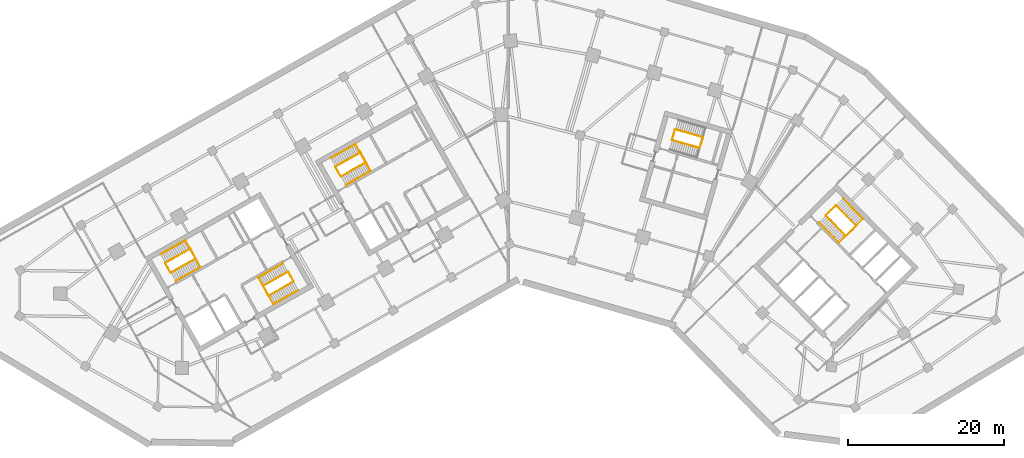
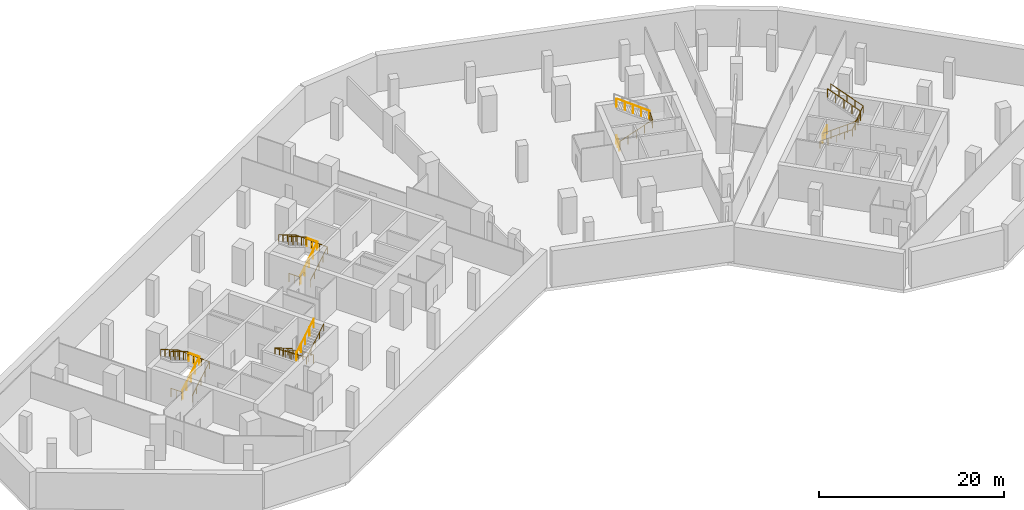
# One storey, part 12 of 13: 19 railings.
"""IFC4 building model written with IfcOpenShell, lengths in metres."""

import ifcopenshell
import ifcopenshell.guid

model = None  # the IFC model being written
_history = None  # IfcOwnerHistory: only IFC2X3 demands one
_inside = {}  # id of a spatial element -> (the spatial element, [elements in it])
_under = {}  # id of a project, library or spatial element -> (it, [spatial elements below it])
_declared = {}  # id of a project -> (the project, [libraries it declares])
_typed = {}  # id of a type object -> (the type object, [elements of that type])
_made_of = {}  # id of a material, layer set ... -> (it, [elements and type objects made of it])


def new_model(schema):
    """Start an empty IFC model of exactly this schema.

    Asked for "IFC4X3", IfcOpenShell would pick the latest addendum, in which some entities
    have other attributes; the version numbers below select the first issue.
    IFC2X3 requires an IfcOwnerHistory on every rooted entity: one is made here for all.
    """
    global model, _history
    if schema == "IFC4X3":
        model = ifcopenshell.file(schema_version=(4, 3, 0, 0))
    else:
        model = ifcopenshell.file(schema=schema)
    _inside.clear()
    _under.clear()
    _declared.clear()
    _typed.clear()
    _made_of.clear()
    _history = None
    if model.schema == "IFC2X3":
        org = make("IfcOrganization", Name="unknown")
        user = make(
            "IfcPersonAndOrganization",
            ThePerson=make("IfcPerson", FamilyName="unknown"),
            TheOrganization=org,
        )
        app = make(
            "IfcApplication",
            ApplicationDeveloper=org,
            Version="unknown",
            ApplicationFullName="unknown",
            ApplicationIdentifier="unknown",
        )
        _history = make(
            "IfcOwnerHistory",
            OwningUser=user,
            OwningApplication=app,
            ChangeAction="ADDED",
            CreationDate=0,
        )
    return model


def make(cls, **values):
    """One entity of the class cls with the attributes given. An attribute that is None is left unset."""
    return model.create_entity(
        cls, **{name: value for name, value in values.items() if value is not None}
    )


def rooted(cls, **values):
    """An entity with a GlobalId (a new one), such as an element, a storey or a relation."""
    return make(cls, GlobalId=ifcopenshell.guid.new(), OwnerHistory=_history, **values)


def si_unit(unit_type, name, prefix=None):
    """IfcSIUnit, for example si_unit("LENGTHUNIT", "METRE", prefix="MILLI")."""
    return make("IfcSIUnit", UnitType=unit_type, Prefix=prefix, Name=name)


def assignment(units):
    """IfcUnitAssignment: the units of a project."""
    return None if units is None else make("IfcUnitAssignment", Units=units)


def point(xyz):
    """IfcCartesianPoint."""
    return None if xyz is None else make("IfcCartesianPoint", Coordinates=xyz)


def direction(xyz):
    """IfcDirection."""
    return None if xyz is None else make("IfcDirection", DirectionRatios=xyz)


def frame(location, z_axis=None, x_axis=None):
    """IfcAxis2Placement3D, a coordinate frame: its origin and axes. An axis left out is left unset."""
    return make(
        "IfcAxis2Placement3D",
        Location=point(location),
        Axis=direction(z_axis),
        RefDirection=direction(x_axis),
    )


def frame_2d(location, x_axis=None):
    """IfcAxis2Placement2D, a coordinate frame in the plane: its origin and x axis."""
    return make(
        "IfcAxis2Placement2D", Location=point(location), RefDirection=direction(x_axis)
    )


def origin():
    """The frame at (0, 0, 0) with its axes left unset."""
    return frame((0.0, 0.0, 0.0))


def origin_2d():
    """The frame at (0, 0) in the plane with its x axis left unset."""
    return frame_2d((0.0, 0.0))


def place(relative_to, where):
    """IfcLocalPlacement: puts the frame where relative to a parent placement (None: the world)."""
    return make(
        "IfcLocalPlacement", PlacementRelTo=relative_to, RelativePlacement=where
    )


def context(
    kind, dimensions, precision=None, world=None, true_north=None, identifier=None
):
    """IfcGeometricRepresentationContext, for example the 3D "Model" context."""
    return make(
        "IfcGeometricRepresentationContext",
        ContextIdentifier=identifier,
        ContextType=kind,
        CoordinateSpaceDimension=dimensions,
        Precision=precision,
        WorldCoordinateSystem=world,
        TrueNorth=true_north,
    )


def subcontext(parent, identifier, kind, view, scale=None):
    """IfcGeometricRepresentationSubContext, for example "Body" below "Model"."""
    return make(
        "IfcGeometricRepresentationSubContext",
        ContextIdentifier=identifier,
        ContextType=kind,
        ParentContext=parent,
        TargetScale=scale,
        TargetView=view,
    )


def project(units=None, contexts=None):
    """IfcProject with its units and contexts."""
    return rooted(
        "IfcProject",
        Name="project",
        RepresentationContexts=contexts,
        UnitsInContext=assignment(units),
    )


def spatial(cls, under=None, at=None, **own):
    """A site, building, storey or space (cls), placed at a placement, below another one or the project."""
    s = rooted(cls, ObjectPlacement=at, **own)
    if under is not None:
        _under.setdefault(under.id(), (under, []))[1].append(s)
    return s


def profile(cls, at=None, kind="AREA", **sizes):
    """A parametric profile (cls). Its sizes go by their IFC names, for example OverallWidth=200.0."""
    return make(cls, ProfileType=kind, Position=at, **sizes)


def circle(**sizes):
    """IfcCircleProfileDef."""
    return profile("IfcCircleProfileDef", **sizes)


def extrude(swept, where, along, depth):
    """IfcExtrudedAreaSolid: the profile swept, set in the frame where, extruded along a direction by depth."""
    return make(
        "IfcExtrudedAreaSolid",
        SweptArea=swept,
        Position=where,
        ExtrudedDirection=direction(along),
        Depth=depth,
    )


def shape(context_of_items, identifier, shape_type, items):
    """IfcShapeRepresentation: the items that make up one representation, for example the "Body"."""
    return make(
        "IfcShapeRepresentation",
        ContextOfItems=context_of_items,
        RepresentationIdentifier=identifier,
        RepresentationType=shape_type,
        Items=items,
    )


def material(Name=None, Category=None):
    """IfcMaterial."""
    return make("IfcMaterial", Name=Name, Category=Category)


def made_of(thing, what):
    """Note that an element or type object is made of a material, layer set ...; save() writes the relation."""
    if what is not None:
        _made_of.setdefault(what.id(), (what, []))[1].append(thing)
    return thing


def type_object(cls, material=None, **own):
    """A type object (cls), such as IfcWallType, which elements share."""
    return made_of(rooted(cls, **own), material)


def element(
    cls,
    number,
    at=None,
    inside=None,
    cuts=None,
    type_object=None,
    material=None,
    context=None,
    identifier="Body",
    shape_type=None,
    held_by="IfcProductDefinitionShape",
    body=None,
    shapes=None,
    **own,
):
    """One element of the class cls, such as IfcWall. Its Tag is "e" and its number.

    at: its placement. inside: the storey or other place that contains it. cuts: it is an
    opening in that element (IfcRelVoidsElement). A single representation is given by context,
    identifier, shape_type and body (its items); several are given by shapes. held_by: the class
    of the entity that holds the representations. save() writes the other relations.
    """
    e = rooted(cls, Tag="e%d" % number, ObjectPlacement=at, **own)
    if body is not None:
        shapes = [shape(context, identifier, shape_type, body)]
    if shapes is not None:
        e.Representation = make(held_by, Representations=shapes)
    if inside is not None:
        _inside.setdefault(inside.id(), (inside, []))[1].append(e)
    if cuts is not None:
        rooted(
            "IfcRelVoidsElement", RelatingBuildingElement=cuts, RelatedOpeningElement=e
        )
    if type_object is not None:
        _typed.setdefault(type_object.id(), (type_object, []))[1].append(e)
    return made_of(e, material)


def aggregate(whole, parts):
    """IfcRelAggregates: a whole, such as a stair, and the parts it consists of."""
    return rooted("IfcRelAggregates", RelatingObject=whole, RelatedObjects=parts)


def save(model, path):
    """Write the relations noted so far, then the file.

    IfcRelAggregates (storeys below a building ...), IfcRelContainedInSpatialStructure (elements
    in a storey), IfcRelDefinesByType, IfcRelAssociatesMaterial and IfcRelDeclares: one each for
    every whole, place, type object, material and project.
    """
    for whole, parts in _under.values():
        aggregate(whole, parts)
    for where, things in _inside.values():
        rooted(
            "IfcRelContainedInSpatialStructure",
            RelatedElements=things,
            RelatingStructure=where,
        )
    for kind, things in _typed.values():
        rooted("IfcRelDefinesByType", RelatedObjects=things, RelatingType=kind)
    for what, things in _made_of.values():
        rooted("IfcRelAssociatesMaterial", RelatedObjects=things, RelatingMaterial=what)
    for by, libraries in _declared.values():
        rooted("IfcRelDeclares", RelatingContext=by, RelatedDefinitions=libraries)
    model.write(path)


model = new_model("IFC4")

# Units and contexts
model_context = context("Model", 3, precision=1e-05, world=origin(), true_north=direction((0.0, 1.0)))
body_context = subcontext(model_context, "Body", "Model", "MODEL_VIEW")
ifc_project = project(units=[si_unit("LENGTHUNIT", "METRE"), si_unit("AREAUNIT", "SQUARE_METRE"), si_unit("VOLUMEUNIT", "CUBIC_METRE"), si_unit("PLANEANGLEUNIT", "RADIAN"), si_unit("MASSUNIT", "GRAM", prefix="KILO")], contexts=[model_context])

# Site, building, storey
site_placement = place(None, origin())
site = spatial("IfcSite", under=ifc_project, at=site_placement, CompositionType="ELEMENT")
building_placement = place(site_placement, origin())
building = spatial("IfcBuilding", under=site, at=building_placement, Name="Binnacle Exchange Tower", CompositionType="ELEMENT")
storey_placement = place(building_placement, frame((0.0, 0.0, -4.800048828125)))
storey = spatial("IfcBuildingStorey", under=building, at=storey_placement, Name="B1", CompositionType="ELEMENT", Elevation=-4.800048828125)

# Railings
ifc_material_1 = material(Name="Steel guard rail", Category="steel")
railing_type_1 = type_object("IfcRailingType", Name="STAIR GUARD 1100", PredefinedType="GUARDRAIL", material=ifc_material_1)
railing_1_placement = place(storey_placement, frame((-43.26171875, 39.71728515625, 0.17138671875)))
element("IfcRailing", 1, at=railing_1_placement, inside=storey, type_object=railing_type_1, Name="B1 STA1 stair guard 1", PredefinedType="GUARDRAIL", context=body_context, shape_type="SweptSolid", body=[
    extrude(circle(Radius=0.02392578125, at=origin_2d()), frame((0.0, 0.0, 1.076171875), z_axis=(0.742249344225, 0.419974929508, 0.522194379118), x_axis=(-0.492450612189, 0.870340390052, 0.0)), (0.0, 0.0, 1.0), 4.26806640625),
    extrude(circle(Radius=0.02392578125, at=origin_2d()), frame((3.16796875, 1.79248046875, 3.3046875), z_axis=(-0.460963092712, 0.887419307406, 0.0), x_axis=(-0.887419307406, -0.460963092712, 0.0)), (0.0, 0.0, 1.0), 1.40087890625),
    extrude(circle(Radius=0.02099609375, at=origin_2d()), origin(), (0.0, 0.0, 1.0), 1.052001953125),
    extrude(circle(Radius=0.02099609375, at=origin_2d()), frame((0.7919921875, 0.4482421875, 0.55712890625)), (0.0, 0.0, 1.0), 1.052001953125),
    extrude(circle(Radius=0.02099609375, at=origin_2d()), frame((1.583984375, 0.896240234375, 1.1142578125)), (0.0, 0.0, 1.0), 1.052001953125),
    extrude(circle(Radius=0.02099609375, at=origin_2d()), frame((2.3759765625, 1.34423828125, 1.671630859375)), (0.0, 0.0, 1.0), 1.052001953125),
    extrude(circle(Radius=0.02099609375, at=origin_2d()), frame((3.16796875, 1.79248046875, 2.228759765625)), (0.0, 0.0, 1.0), 1.052001953125),
    extrude(circle(Radius=0.02099609375, at=origin_2d()), frame((2.84521484375, 2.4140625, 2.228759765625)), (0.0, 0.0, 1.0), 1.052001953125),
    extrude(circle(Radius=0.02099609375, at=origin_2d()), frame((2.522216796875, 3.03564453125, 2.228759765625)), (0.0, 0.0, 1.0), 1.052001953125),
])
railing_2_placement = place(storey_placement, frame((-40.8076171875, 42.771728515625, 2.571533203125)))
element("IfcRailing", 2, at=railing_2_placement, inside=storey, type_object=railing_type_1, Name="B1 STA1 stair guard 2", PredefinedType="GUARDRAIL", context=body_context, shape_type="SweptSolid", body=[
    extrude(circle(Radius=0.02392578125, at=origin_2d()), frame((0.0, 0.0, 1.076171875), z_axis=(-0.742297199881, -0.419969641791, 0.522130603415), x_axis=(0.492421866095, -0.870356654361, 0.0)), (0.0, 0.0, 1.0), 4.26806640625),
    extrude(circle(Radius=0.02099609375, at=origin_2d()), origin(), (0.0, 0.0, 1.0), 1.052001953125),
    extrude(circle(Radius=0.02099609375, at=origin_2d()), frame((-0.7919921875, -0.4482421875, 0.55712890625)), (0.0, 0.0, 1.0), 1.052001953125),
    extrude(circle(Radius=0.02099609375, at=origin_2d()), frame((-1.583984375, -0.896240234375, 1.1142578125)), (0.0, 0.0, 1.0), 1.052001953125),
    extrude(circle(Radius=0.02099609375, at=origin_2d()), frame((-2.376220703125, -1.34423828125, 1.67138671875)), (0.0, 0.0, 1.0), 1.052001953125),
    extrude(circle(Radius=0.02099609375, at=origin_2d()), frame((-3.168212890625, -1.79248046875, 2.228515625)), (0.0, 0.0, 1.0), 1.052001953125),
])
railing_3_placement = place(storey_placement, frame((-43.329833984375, 39.736328125, 0.0)))
element("IfcRailing", 3, at=railing_3_placement, inside=storey, type_object=railing_type_1, Name="B1 STA1 stair guard 3", PredefinedType="GUARDRAIL", context=body_context, shape_type="SweptSolid", body=[
    extrude(circle(Radius=0.02392578125, at=origin_2d()), frame((0.0, 0.0, 1.076171875), z_axis=(-0.4924922531, 0.870316827734, 0.0), x_axis=(-0.870316827734, -0.4924922531, 0.0)), (0.0, 0.0, 1.0), 1.349853515625),
    extrude(circle(Radius=0.02099609375, at=origin_2d()), origin(), (0.0, 0.0, 1.0), 1.052001953125),
    extrude(circle(Radius=0.02099609375, at=origin_2d()), frame((-0.33251953125, 0.58740234375, 0.0)), (0.0, 0.0, 1.0), 1.052001953125),
    extrude(circle(Radius=0.02099609375, at=origin_2d()), frame((-0.664794921875, 1.1748046875, 0.0)), (0.0, 0.0, 1.0), 1.052001953125),
])
railing_4_placement = place(storey_placement, frame((-28.265380859375, 39.814453125, 0.17138671875)))
element("IfcRailing", 4, at=railing_4_placement, inside=storey, type_object=railing_type_1, Name="B1 STA2 stair guard 1", PredefinedType="GUARDRAIL", context=body_context, shape_type="SweptSolid", body=[
    extrude(circle(Radius=0.02392578125, at=origin_2d()), frame((0.0, 0.0, 1.076171875), z_axis=(-0.742275029926, -0.419957098691, 0.522172208383), x_axis=(0.492421866095, -0.870356654361, 0.0)), (0.0, 0.0, 1.0), 4.268310546875),
    extrude(circle(Radius=0.02392578125, at=origin_2d()), frame((-3.168212890625, -1.79248046875, 3.3046875), z_axis=(0.461100321709, -0.887348011391, 0.0), x_axis=(0.887348011391, 0.461100321709, 0.0)), (0.0, 0.0, 1.0), 1.40087890625),
    extrude(circle(Radius=0.02099609375, at=origin_2d()), origin(), (0.0, 0.0, 1.0), 1.052001953125),
    extrude(circle(Radius=0.02099609375, at=origin_2d()), frame((-0.7919921875, -0.4482421875, 0.55712890625)), (0.0, 0.0, 1.0), 1.052001953125),
    extrude(circle(Radius=0.02099609375, at=origin_2d()), frame((-1.583984375, -0.896240234375, 1.1142578125)), (0.0, 0.0, 1.0), 1.052001953125),
    extrude(circle(Radius=0.02099609375, at=origin_2d()), frame((-2.376220703125, -1.34423828125, 1.671630859375)), (0.0, 0.0, 1.0), 1.052001953125),
    extrude(circle(Radius=0.02099609375, at=origin_2d()), frame((-3.168212890625, -1.79248046875, 2.228759765625)), (0.0, 0.0, 1.0), 1.052001953125),
    extrude(circle(Radius=0.02099609375, at=origin_2d()), frame((-2.84521484375, -2.4140625, 2.228759765625)), (0.0, 0.0, 1.0), 1.052001953125),
    extrude(circle(Radius=0.02099609375, at=origin_2d()), frame((-2.522216796875, -3.03564453125, 2.228759765625)), (0.0, 0.0, 1.0), 1.052001953125),
])
railing_5_placement = place(storey_placement, frame((-30.719482421875, 36.760009765625, 2.571533203125)))
element("IfcRailing", 5, at=railing_5_placement, inside=storey, type_object=railing_type_1, Name="B1 STA2 stair guard 2", PredefinedType="GUARDRAIL", context=body_context, shape_type="SweptSolid", body=[
    extrude(circle(Radius=0.02392578125, at=origin_2d()), frame((0.0, 0.0, 1.076171875), z_axis=(0.742271515296, 0.419987474206, 0.522152773707), x_axis=(-0.492450612189, 0.870340390052, 0.0)), (0.0, 0.0, 1.0), 4.267822265625),
    extrude(circle(Radius=0.02099609375, at=origin_2d()), origin(), (0.0, 0.0, 1.0), 1.052001953125),
    extrude(circle(Radius=0.02099609375, at=origin_2d()), frame((0.7919921875, 0.4482421875, 0.55712890625)), (0.0, 0.0, 1.0), 1.052001953125),
    extrude(circle(Radius=0.02099609375, at=origin_2d()), frame((1.583984375, 0.896240234375, 1.1142578125)), (0.0, 0.0, 1.0), 1.052001953125),
    extrude(circle(Radius=0.02099609375, at=origin_2d()), frame((2.3759765625, 1.34423828125, 1.67138671875)), (0.0, 0.0, 1.0), 1.052001953125),
    extrude(circle(Radius=0.02099609375, at=origin_2d()), frame((3.16796875, 1.79248046875, 2.228515625)), (0.0, 0.0, 1.0), 1.052001953125),
])
railing_6_placement = place(storey_placement, frame((-28.197265625, 39.795654296875, 0.0)))
element("IfcRailing", 6, at=railing_6_placement, inside=storey, type_object=railing_type_1, Name="B1 STA2 stair guard 3", PredefinedType="GUARDRAIL", context=body_context, shape_type="SweptSolid", body=[
    extrude(circle(Radius=0.02392578125, at=origin_2d()), frame((0.0, 0.0, 1.076171875), z_axis=(0.49241474071, -0.870360685654, 0.0), x_axis=(0.870360685654, 0.49241474071, 0.0)), (0.0, 0.0, 1.0), 1.35009765625),
    extrude(circle(Radius=0.02099609375, at=origin_2d()), origin(), (0.0, 0.0, 1.0), 1.052001953125),
    extrude(circle(Radius=0.02099609375, at=origin_2d()), frame((0.33251953125, -0.58740234375, 0.0)), (0.0, 0.0, 1.0), 1.052001953125),
    extrude(circle(Radius=0.02099609375, at=origin_2d()), frame((0.664794921875, -1.175048828125, 0.0)), (0.0, 0.0, 1.0), 1.052001953125),
])
railing_7_placement = place(storey_placement, frame((40.822509765625, 47.046875, 0.17138671875)))
element("IfcRailing", 7, at=railing_7_placement, inside=storey, type_object=railing_type_1, Name="B1 STB1 stair guard 1", PredefinedType="GUARDRAIL", context=body_context, shape_type="SweptSolid", body=[
    extrude(circle(Radius=0.02392578125, at=origin_2d()), frame((0.0, 0.0, 1.076171875), z_axis=(0.597754981814, -0.608280045609, 0.522191887941), x_axis=(0.713250539553, 0.700909172309, 0.0)), (0.0, 0.0, 1.0), 4.26806640625),
    extrude(circle(Radius=0.02392578125, at=origin_2d()), frame((2.55126953125, -2.59619140625, 3.3046875), z_axis=(0.732527851538, 0.680737061369, 0.0), x_axis=(-0.680737061369, 0.732527851538, 0.0)), (0.0, 0.0, 1.0), 1.80078125),
    extrude(circle(Radius=0.02099609375, at=origin_2d()), origin(), (0.0, 0.0, 1.0), 1.052001953125),
    extrude(circle(Radius=0.02099609375, at=origin_2d()), frame((0.6376953125, -0.64892578125, 0.55712890625)), (0.0, 0.0, 1.0), 1.052001953125),
    extrude(circle(Radius=0.02099609375, at=origin_2d()), frame((1.275634765625, -1.298095703125, 1.1142578125)), (0.0, 0.0, 1.0), 1.052001953125),
    extrude(circle(Radius=0.02099609375, at=origin_2d()), frame((1.91357421875, -1.947265625, 1.671630859375)), (0.0, 0.0, 1.0), 1.052001953125),
    extrude(circle(Radius=0.02099609375, at=origin_2d()), frame((2.55126953125, -2.59619140625, 2.228759765625)), (0.0, 0.0, 1.0), 1.052001953125),
    extrude(circle(Radius=0.02099609375, at=origin_2d()), frame((3.2109375, -1.9833984375, 2.228759765625)), (0.0, 0.0, 1.0), 1.052001953125),
    extrude(circle(Radius=0.02099609375, at=origin_2d()), frame((3.870361328125, -1.370361328125, 2.228759765625)), (0.0, 0.0, 1.0), 1.052001953125),
])
railing_8_placement = place(storey_placement, frame((44.693359375, 45.747314453125, 2.571533203125)))
element("IfcRailing", 8, at=railing_8_placement, inside=storey, type_object=railing_type_1, Name="B1 STB1 stair guard 2", PredefinedType="GUARDRAIL", context=body_context, shape_type="SweptSolid", body=[
    extrude(circle(Radius=0.02392578125, at=origin_2d()), frame((0.0, 0.0, 1.076171875), z_axis=(-0.597772836652, 0.608298214828, 0.52215028258), x_axis=(-0.713250539553, -0.700909172309, 0.0)), (0.0, 0.0, 1.0), 4.26806640625),
    extrude(circle(Radius=0.02099609375, at=origin_2d()), origin(), (0.0, 0.0, 1.0), 1.052001953125),
    extrude(circle(Radius=0.02099609375, at=origin_2d()), frame((-0.6376953125, 0.64892578125, 0.55712890625)), (0.0, 0.0, 1.0), 1.052001953125),
    extrude(circle(Radius=0.02099609375, at=origin_2d()), frame((-1.275634765625, 1.298095703125, 1.1142578125)), (0.0, 0.0, 1.0), 1.052001953125),
    extrude(circle(Radius=0.02099609375, at=origin_2d()), frame((-1.91357421875, 1.947265625, 1.67138671875)), (0.0, 0.0, 1.0), 1.052001953125),
    extrude(circle(Radius=0.02099609375, at=origin_2d()), frame((-2.55126953125, 2.59619140625, 2.228515625)), (0.0, 0.0, 1.0), 1.052001953125),
])
railing_9_placement = place(storey_placement, frame((40.8232421875, 47.117431640625, 0.0)))
element("IfcRailing", 9, at=railing_9_placement, inside=storey, type_object=railing_type_1, Name="B1 STB1 stair guard 3", PredefinedType="GUARDRAIL", context=body_context, shape_type="SweptSolid", body=[
    extrude(circle(Radius=0.02392578125, at=origin_2d()), frame((0.0, 0.0, 1.076171875), z_axis=(0.713218950569, 0.700941316052, 0.0), x_axis=(-0.700941316052, 0.713218950569, 0.0)), (0.0, 0.0, 1.0), 1.75),
    extrude(circle(Radius=0.02099609375, at=origin_2d()), origin(), (0.0, 0.0, 1.0), 1.052001953125),
    extrude(circle(Radius=0.02099609375, at=origin_2d()), frame((0.6240234375, 0.61328125, 0.0)), (0.0, 0.0, 1.0), 1.052001953125),
    extrude(circle(Radius=0.02099609375, at=origin_2d()), frame((1.248046875, 1.2265625, 0.0)), (0.0, 0.0, 1.0), 1.052001953125),
])
railing_10_placement = place(storey_placement, frame((-21.423828125, 52.07275390625, 0.17138671875)))
element("IfcRailing", 10, at=railing_10_placement, inside=storey, type_object=railing_type_1, Name="B1 STC1 stair guard 1", PredefinedType="GUARDRAIL", context=body_context, shape_type="SweptSolid", body=[
    extrude(circle(Radius=0.02392578125, at=origin_2d()), frame((0.0, 0.0, 1.076171875), z_axis=(0.742292859722, 0.419909985607, 0.522184751206), x_axis=(-0.492371057291, 0.870385398511, 0.0)), (0.0, 0.0, 1.0), 4.26806640625),
    extrude(circle(Radius=0.02392578125, at=origin_2d()), frame((3.168212890625, 1.792236328125, 3.3046875), z_axis=(-0.461100321709, 0.887348011391, 0.0), x_axis=(-0.887348011391, -0.461100321709, 0.0)), (0.0, 0.0, 1.0), 1.40087890625),
    extrude(circle(Radius=0.02099609375, at=origin_2d()), origin(), (0.0, 0.0, 1.0), 1.052001953125),
    extrude(circle(Radius=0.02099609375, at=origin_2d()), frame((0.7919921875, 0.447998046875, 0.55712890625)), (0.0, 0.0, 1.0), 1.052001953125),
    extrude(circle(Radius=0.02099609375, at=origin_2d()), frame((1.583984375, 0.89599609375, 1.1142578125)), (0.0, 0.0, 1.0), 1.052001953125),
    extrude(circle(Radius=0.02099609375, at=origin_2d()), frame((2.376220703125, 1.34423828125, 1.671630859375)), (0.0, 0.0, 1.0), 1.052001953125),
    extrude(circle(Radius=0.02099609375, at=origin_2d()), frame((3.168212890625, 1.792236328125, 2.228759765625)), (0.0, 0.0, 1.0), 1.052001953125),
    extrude(circle(Radius=0.02099609375, at=origin_2d()), frame((2.84521484375, 2.413818359375, 2.228759765625)), (0.0, 0.0, 1.0), 1.052001953125),
    extrude(circle(Radius=0.02099609375, at=origin_2d()), frame((2.522216796875, 3.035400390625, 2.228759765625)), (0.0, 0.0, 1.0), 1.052001953125),
])
railing_11_placement = place(storey_placement, frame((-18.9697265625, 55.126953125, 2.571533203125)))
element("IfcRailing", 11, at=railing_11_placement, inside=storey, type_object=railing_type_1, Name="B1 STC1 stair guard 2", PredefinedType="GUARDRAIL", context=body_context, shape_type="SweptSolid", body=[
    extrude(circle(Radius=0.02392578125, at=origin_2d()), frame((0.0, 0.0, 1.076171875), z_axis=(-0.742289347588, -0.419940359174, 0.522165317878), x_axis=(0.492399802317, -0.870369137021, 0.0)), (0.0, 0.0, 1.0), 4.267822265625),
    extrude(circle(Radius=0.02099609375, at=origin_2d()), origin(), (0.0, 0.0, 1.0), 1.052001953125),
    extrude(circle(Radius=0.02099609375, at=origin_2d()), frame((-0.7919921875, -0.447998046875, 0.55712890625)), (0.0, 0.0, 1.0), 1.052001953125),
    extrude(circle(Radius=0.02099609375, at=origin_2d()), frame((-1.583984375, -0.89599609375, 1.1142578125)), (0.0, 0.0, 1.0), 1.052001953125),
    extrude(circle(Radius=0.02099609375, at=origin_2d()), frame((-2.3759765625, -1.34423828125, 1.67138671875)), (0.0, 0.0, 1.0), 1.052001953125),
    extrude(circle(Radius=0.02099609375, at=origin_2d()), frame((-3.16796875, -1.792236328125, 2.228515625)), (0.0, 0.0, 1.0), 1.052001953125),
])
railing_12_placement = place(storey_placement, frame((-21.491943359375, 52.091552734375, 0.0)))
element("IfcRailing", 12, at=railing_12_placement, inside=storey, type_object=railing_type_1, Name="B1 STC1 stair guard 3", PredefinedType="GUARDRAIL", context=body_context, shape_type="SweptSolid", body=[
    extrude(circle(Radius=0.02392578125, at=origin_2d()), frame((0.0, 0.0, 1.076171875), z_axis=(-0.49241474071, 0.870360685654, 0.0), x_axis=(-0.870360685654, -0.49241474071, 0.0)), (0.0, 0.0, 1.0), 1.35009765625),
    extrude(circle(Radius=0.02099609375, at=origin_2d()), origin(), (0.0, 0.0, 1.0), 1.052001953125),
    extrude(circle(Radius=0.02099609375, at=origin_2d()), frame((-0.33251953125, 0.58740234375, 0.0)), (0.0, 0.0, 1.0), 1.052001953125),
    extrude(circle(Radius=0.02099609375, at=origin_2d()), frame((-0.664794921875, 1.175048828125, 0.0)), (0.0, 0.0, 1.0), 1.052001953125),
])
railing_13_placement = place(storey_placement, frame((21.086669921875, 56.71044921875, 0.17138671875)))
element("IfcRailing", 13, at=railing_13_placement, inside=storey, type_object=railing_type_1, Name="B1 STD1 stair guard 1", PredefinedType="GUARDRAIL", context=body_context, shape_type="SweptSolid", body=[
    extrude(circle(Radius=0.02392578125, at=origin_2d()), frame((0.0, 0.0, 1.076171875), z_axis=(0.819792348007, -0.235092558632, 0.522180040815), x_axis=(0.275659984683, 0.961255206927, 0.0)), (0.0, 0.0, 1.0), 4.26806640625),
    extrude(circle(Radius=0.02392578125, at=origin_2d()), frame((3.4990234375, -1.00341796875, 3.3046875), z_axis=(0.309684985722, 0.950839213337, 0.0), x_axis=(-0.950839213337, 0.309684985722, 0.0)), (0.0, 0.0, 1.0), 1.40087890625),
    extrude(circle(Radius=0.02099609375, at=origin_2d()), origin(), (0.0, 0.0, 1.0), 1.052001953125),
    extrude(circle(Radius=0.02099609375, at=origin_2d()), frame((0.874755859375, -0.2509765625, 0.55712890625)), (0.0, 0.0, 1.0), 1.052001953125),
    extrude(circle(Radius=0.02099609375, at=origin_2d()), frame((1.74951171875, -0.501708984375, 1.1142578125)), (0.0, 0.0, 1.0), 1.052001953125),
    extrude(circle(Radius=0.02099609375, at=origin_2d()), frame((2.624267578125, -0.75244140625, 1.671630859375)), (0.0, 0.0, 1.0), 1.052001953125),
    extrude(circle(Radius=0.02099609375, at=origin_2d()), frame((3.4990234375, -1.00341796875, 2.228759765625)), (0.0, 0.0, 1.0), 1.052001953125),
    extrude(circle(Radius=0.02099609375, at=origin_2d()), frame((3.7158203125, -0.33740234375, 2.228759765625)), (0.0, 0.0, 1.0), 1.052001953125),
    extrude(circle(Radius=0.02099609375, at=origin_2d()), frame((3.932861328125, 0.32861328125, 2.228759765625)), (0.0, 0.0, 1.0), 1.052001953125),
])
railing_14_placement = place(storey_placement, frame((24.9853515625, 57.100830078125, 2.571533203125)))
element("IfcRailing", 14, at=railing_14_placement, inside=storey, type_object=railing_type_1, Name="B1 STD1 stair guard 2", PredefinedType="GUARDRAIL", context=body_context, shape_type="SweptSolid", body=[
    extrude(circle(Radius=0.02392578125, at=origin_2d()), frame((0.0, 0.0, 1.076171875), z_axis=(-0.819816833951, 0.235099580487, 0.52213843569), x_axis=(-0.275659984683, -0.961255206927, 0.0)), (0.0, 0.0, 1.0), 4.26806640625),
    extrude(circle(Radius=0.02099609375, at=origin_2d()), origin(), (0.0, 0.0, 1.0), 1.052001953125),
    extrude(circle(Radius=0.02099609375, at=origin_2d()), frame((-0.874755859375, 0.2509765625, 0.55712890625)), (0.0, 0.0, 1.0), 1.052001953125),
    extrude(circle(Radius=0.02099609375, at=origin_2d()), frame((-1.74951171875, 0.501708984375, 1.1142578125)), (0.0, 0.0, 1.0), 1.052001953125),
    extrude(circle(Radius=0.02099609375, at=origin_2d()), frame((-2.624267578125, 0.75244140625, 1.67138671875)), (0.0, 0.0, 1.0), 1.052001953125),
    extrude(circle(Radius=0.02099609375, at=origin_2d()), frame((-3.4990234375, 1.00341796875, 2.228515625)), (0.0, 0.0, 1.0), 1.052001953125),
])
railing_15_placement = place(storey_placement, frame((21.05224609375, 56.772216796875, 0.0)))
element("IfcRailing", 15, at=railing_15_placement, inside=storey, type_object=railing_type_1, Name="B1 STD1 stair guard 3", PredefinedType="GUARDRAIL", context=body_context, shape_type="SweptSolid", body=[
    extrude(circle(Radius=0.02392578125, at=origin_2d()), frame((0.0, 0.0, 1.076171875), z_axis=(0.275795817769, 0.961216243569, 0.0), x_axis=(-0.961216243569, 0.275795817769, 0.0)), (0.0, 0.0, 1.0), 1.349853515625),
    extrude(circle(Radius=0.02099609375, at=origin_2d()), origin(), (0.0, 0.0, 1.0), 1.052001953125),
    extrude(circle(Radius=0.02099609375, at=origin_2d()), frame((0.18603515625, 0.64892578125, 0.0)), (0.0, 0.0, 1.0), 1.052001953125),
    extrude(circle(Radius=0.02099609375, at=origin_2d()), frame((0.372314453125, 1.297607421875, 0.0)), (0.0, 0.0, 1.0), 1.052001953125),
])
ifc_material_2 = material(Name="Steel handrail", Category="steel")
railing_type_2 = type_object("IfcRailingType", Name="STAIR HANDRAIL 900", PredefinedType="HANDRAIL", material=ifc_material_2)
railing_16_placement = place(storey_placement, frame((-42.646240234375, 38.62939453125, 0.17138671875)))
element("IfcRailing", 16, at=railing_16_placement, inside=storey, type_object=railing_type_2, Name="B1 STA1 stair handrail 1", PredefinedType="HANDRAIL", context=body_context, shape_type="SweptSolid", body=[
    extrude(circle(Radius=0.02392578125, at=origin_2d()), frame((0.0, 0.0, 0.8759765625), z_axis=(0.742275029926, 0.419957098691, 0.522172208383), x_axis=(-0.492421866095, 0.870356654361, 0.0)), (0.0, 0.0, 1.0), 4.268310546875),
    extrude(circle(Radius=0.02392578125, at=origin_2d()), frame((3.168212890625, 1.79248046875, 3.1044921875), z_axis=(-0.492023999439, 0.869501749008, 0.043348499951), x_axis=(-0.870319839224, -0.492486931251, 0.0)), (0.0, 0.0, 1.0), 3.95361328125),
    extrude(circle(Radius=0.02392578125, at=origin_2d()), frame((1.222900390625, 5.230224609375, 3.27587890625), z_axis=(-0.742289347588, -0.419940359174, 0.522165317878), x_axis=(0.492399802317, -0.870369137021, 0.0)), (0.0, 0.0, 1.0), 4.267822265625),
    extrude(circle(Radius=0.02099609375, at=origin_2d()), origin(), (0.0, 0.0, 1.0), 0.851806640625),
    extrude(circle(Radius=0.02099609375, at=origin_2d()), frame((0.7919921875, 0.4482421875, 0.55712890625)), (0.0, 0.0, 1.0), 0.851806640625),
    extrude(circle(Radius=0.02099609375, at=origin_2d()), frame((1.583984375, 0.896240234375, 1.1142578125)), (0.0, 0.0, 1.0), 0.851806640625),
    extrude(circle(Radius=0.02099609375, at=origin_2d()), frame((2.376220703125, 1.34423828125, 1.671630859375)), (0.0, 0.0, 1.0), 0.851806640625),
    extrude(circle(Radius=0.02099609375, at=origin_2d()), frame((3.168212890625, 1.79248046875, 2.228759765625)), (0.0, 0.0, 1.0), 0.851806640625),
    extrude(circle(Radius=0.02099609375, at=origin_2d()), frame((2.681884765625, 2.65185546875, 2.271484375)), (0.0, 0.0, 1.0), 0.851806640625),
    extrude(circle(Radius=0.02099609375, at=origin_2d()), frame((2.195556640625, 3.51123046875, 2.314453125)), (0.0, 0.0, 1.0), 0.851806640625),
    extrude(circle(Radius=0.02099609375, at=origin_2d()), frame((1.709228515625, 4.370849609375, 2.357421875)), (0.0, 0.0, 1.0), 0.851806640625),
    extrude(circle(Radius=0.02099609375, at=origin_2d()), frame((1.222900390625, 5.230224609375, 2.400146484375)), (0.0, 0.0, 1.0), 0.851806640625),
    extrude(circle(Radius=0.02099609375, at=origin_2d()), frame((0.430908203125, 4.7822265625, 2.957275390625)), (0.0, 0.0, 1.0), 0.851806640625),
    extrude(circle(Radius=0.02099609375, at=origin_2d()), frame((-0.361083984375, 4.333984375, 3.514404296875)), (0.0, 0.0, 1.0), 0.851806640625),
    extrude(circle(Radius=0.02099609375, at=origin_2d()), frame((-1.153076171875, 3.885986328125, 4.071533203125)), (0.0, 0.0, 1.0), 0.851806640625),
    extrude(circle(Radius=0.02099609375, at=origin_2d()), frame((-1.945068359375, 3.43798828125, 4.628662109375)), (0.0, 0.0, 1.0), 0.851806640625),
])
railing_17_placement = place(storey_placement, frame((-28.880859375, 40.90234375, 0.17138671875)))
element("IfcRailing", 17, at=railing_17_placement, inside=storey, type_object=railing_type_2, Name="B1 STA2 stair handrail 1", PredefinedType="HANDRAIL", context=body_context, shape_type="SweptSolid", body=[
    extrude(circle(Radius=0.02392578125, at=origin_2d()), frame((0.0, 0.0, 0.8759765625), z_axis=(-0.742292859722, -0.419909985607, 0.522184751206), x_axis=(0.492371057291, -0.870385398511, 0.0)), (0.0, 0.0, 1.0), 4.26806640625),
    extrude(circle(Radius=0.02392578125, at=origin_2d()), frame((-3.168212890625, -1.792236328125, 3.1044921875), z_axis=(0.491950780692, -0.869543227527, 0.0433474894), x_axis=(0.870361318571, 0.492413622004, 0.0)), (0.0, 0.0, 1.0), 3.953857421875),
    extrude(circle(Radius=0.02392578125, at=origin_2d()), frame((-1.22314453125, -5.230224609375, 3.27587890625), z_axis=(0.742297199881, 0.419969641791, 0.522130603415), x_axis=(-0.492421866095, 0.870356654361, 0.0)), (0.0, 0.0, 1.0), 4.26806640625),
    extrude(circle(Radius=0.02099609375, at=origin_2d()), origin(), (0.0, 0.0, 1.0), 0.851806640625),
    extrude(circle(Radius=0.02099609375, at=origin_2d()), frame((-0.7919921875, -0.447998046875, 0.55712890625)), (0.0, 0.0, 1.0), 0.851806640625),
    extrude(circle(Radius=0.02099609375, at=origin_2d()), frame((-1.583984375, -0.89599609375, 1.1142578125)), (0.0, 0.0, 1.0), 0.851806640625),
    extrude(circle(Radius=0.02099609375, at=origin_2d()), frame((-2.376220703125, -1.34423828125, 1.671630859375)), (0.0, 0.0, 1.0), 0.851806640625),
    extrude(circle(Radius=0.02099609375, at=origin_2d()), frame((-3.168212890625, -1.792236328125, 2.228759765625)), (0.0, 0.0, 1.0), 0.851806640625),
    extrude(circle(Radius=0.02099609375, at=origin_2d()), frame((-2.681884765625, -2.65185546875, 2.271484375)), (0.0, 0.0, 1.0), 0.851806640625),
    extrude(circle(Radius=0.02099609375, at=origin_2d()), frame((-2.19580078125, -3.51123046875, 2.314453125)), (0.0, 0.0, 1.0), 0.851806640625),
    extrude(circle(Radius=0.02099609375, at=origin_2d()), frame((-1.70947265625, -4.37060546875, 2.357421875)), (0.0, 0.0, 1.0), 0.851806640625),
    extrude(circle(Radius=0.02099609375, at=origin_2d()), frame((-1.22314453125, -5.230224609375, 2.400146484375)), (0.0, 0.0, 1.0), 0.851806640625),
    extrude(circle(Radius=0.02099609375, at=origin_2d()), frame((-0.43115234375, -4.7822265625, 2.957275390625)), (0.0, 0.0, 1.0), 0.851806640625),
    extrude(circle(Radius=0.02099609375, at=origin_2d()), frame((0.36083984375, -4.333984375, 3.514404296875)), (0.0, 0.0, 1.0), 0.851806640625),
    extrude(circle(Radius=0.02099609375, at=origin_2d()), frame((1.153076171875, -3.8857421875, 4.071533203125)), (0.0, 0.0, 1.0), 0.851806640625),
    extrude(circle(Radius=0.02099609375, at=origin_2d()), frame((1.945068359375, -3.437744140625, 4.628662109375)), (0.0, 0.0, 1.0), 0.851806640625),
])
railing_18_placement = place(storey_placement, frame((39.930908203125, 46.170654296875, 0.17138671875)))
element("IfcRailing", 18, at=railing_18_placement, inside=storey, type_object=railing_type_2, Name="B1 STB1 stair handrail 1", PredefinedType="HANDRAIL", context=body_context, shape_type="SweptSolid", body=[
    extrude(circle(Radius=0.02392578125, at=origin_2d()), frame((0.0, 0.0, 0.8759765625), z_axis=(0.59779174266, -0.6082592471, 0.522174032986), x_axis=(0.713217009097, 0.700943291525, 0.0)), (0.0, 0.0, 1.0), 4.268310546875),
    extrude(circle(Radius=0.02392578125, at=origin_2d()), frame((2.551513671875, -2.59619140625, 3.1044921875), z_axis=(0.712700737751, 0.70036251283, 0.039370154068), x_axis=(-0.700905928746, 0.713253726978, 0.0)), (0.0, 0.0, 1.0), 4.353271484375),
    extrude(circle(Radius=0.02392578125, at=origin_2d()), frame((5.654052734375, 0.45263671875, 3.27587890625), z_axis=(-0.597752036316, 0.608334249399, 0.522132113635), x_axis=(-0.713283488215, -0.700875641922, 0.0)), (0.0, 0.0, 1.0), 4.26806640625),
    extrude(circle(Radius=0.02099609375, at=origin_2d()), origin(), (0.0, 0.0, 1.0), 0.851806640625),
    extrude(circle(Radius=0.02099609375, at=origin_2d()), frame((0.637939453125, -0.64892578125, 0.55712890625)), (0.0, 0.0, 1.0), 0.851806640625),
    extrude(circle(Radius=0.02099609375, at=origin_2d()), frame((1.27587890625, -1.298095703125, 1.1142578125)), (0.0, 0.0, 1.0), 0.851806640625),
    extrude(circle(Radius=0.02099609375, at=origin_2d()), frame((1.91357421875, -1.947265625, 1.671630859375)), (0.0, 0.0, 1.0), 0.851806640625),
    extrude(circle(Radius=0.02099609375, at=origin_2d()), frame((2.551513671875, -2.59619140625, 2.228759765625)), (0.0, 0.0, 1.0), 0.851806640625),
    extrude(circle(Radius=0.02099609375, at=origin_2d()), frame((3.3271484375, -1.833984375, 2.271484375)), (0.0, 0.0, 1.0), 0.851806640625),
    extrude(circle(Radius=0.02099609375, at=origin_2d()), frame((4.102783203125, -1.07177734375, 2.314453125)), (0.0, 0.0, 1.0), 0.851806640625),
    extrude(circle(Radius=0.02099609375, at=origin_2d()), frame((4.87841796875, -0.3095703125, 2.357421875)), (0.0, 0.0, 1.0), 0.851806640625),
    extrude(circle(Radius=0.02099609375, at=origin_2d()), frame((5.654052734375, 0.45263671875, 2.400146484375)), (0.0, 0.0, 1.0), 0.851806640625),
    extrude(circle(Radius=0.02099609375, at=origin_2d()), frame((5.01611328125, 1.101806640625, 2.957275390625)), (0.0, 0.0, 1.0), 0.851806640625),
    extrude(circle(Radius=0.02099609375, at=origin_2d()), frame((4.37841796875, 1.7509765625, 3.514404296875)), (0.0, 0.0, 1.0), 0.851806640625),
    extrude(circle(Radius=0.02099609375, at=origin_2d()), frame((3.74072265625, 2.39990234375, 4.071533203125)), (0.0, 0.0, 1.0), 0.851806640625),
    extrude(circle(Radius=0.02099609375, at=origin_2d()), frame((3.102783203125, 3.049072265625, 4.628662109375)), (0.0, 0.0, 1.0), 0.851806640625),
])
railing_19_placement = place(storey_placement, frame((-20.808349609375, 50.984619140625, 0.17138671875)))
element("IfcRailing", 19, at=railing_19_placement, inside=storey, type_object=railing_type_2, Name="B1 STC1 stair handrail 1", PredefinedType="HANDRAIL", context=body_context, shape_type="SweptSolid", body=[
    extrude(circle(Radius=0.02392578125, at=origin_2d()), frame((0.0, 0.0, 0.8759765625), z_axis=(0.742275029926, 0.419957098691, 0.522172208383), x_axis=(-0.492421866095, 0.870356654361, 0.0)), (0.0, 0.0, 1.0), 4.268310546875),
    extrude(circle(Radius=0.02392578125, at=origin_2d()), frame((3.168212890625, 1.79248046875, 3.1044921875), z_axis=(-0.491950780692, 0.869543227527, 0.0433474894), x_axis=(-0.870361318571, -0.492413622004, 0.0)), (0.0, 0.0, 1.0), 3.953857421875),
    extrude(circle(Radius=0.02392578125, at=origin_2d()), frame((1.22314453125, 5.23046875, 3.27587890625), z_axis=(-0.742297199881, -0.419969641791, 0.522130603415), x_axis=(0.492421866095, -0.870356654361, 0.0)), (0.0, 0.0, 1.0), 4.26806640625),
    extrude(circle(Radius=0.02099609375, at=origin_2d()), origin(), (0.0, 0.0, 1.0), 0.851806640625),
    extrude(circle(Radius=0.02099609375, at=origin_2d()), frame((0.7919921875, 0.4482421875, 0.55712890625)), (0.0, 0.0, 1.0), 0.851806640625),
    extrude(circle(Radius=0.02099609375, at=origin_2d()), frame((1.583984375, 0.896240234375, 1.1142578125)), (0.0, 0.0, 1.0), 0.851806640625),
    extrude(circle(Radius=0.02099609375, at=origin_2d()), frame((2.376220703125, 1.34423828125, 1.671630859375)), (0.0, 0.0, 1.0), 0.851806640625),
    extrude(circle(Radius=0.02099609375, at=origin_2d()), frame((3.168212890625, 1.79248046875, 2.228759765625)), (0.0, 0.0, 1.0), 0.851806640625),
    extrude(circle(Radius=0.02099609375, at=origin_2d()), frame((2.681884765625, 2.65185546875, 2.271484375)), (0.0, 0.0, 1.0), 0.851806640625),
    extrude(circle(Radius=0.02099609375, at=origin_2d()), frame((2.19580078125, 3.511474609375, 2.314453125)), (0.0, 0.0, 1.0), 0.851806640625),
    extrude(circle(Radius=0.02099609375, at=origin_2d()), frame((1.70947265625, 4.37109375, 2.357421875)), (0.0, 0.0, 1.0), 0.851806640625),
    extrude(circle(Radius=0.02099609375, at=origin_2d()), frame((1.22314453125, 5.23046875, 2.400146484375)), (0.0, 0.0, 1.0), 0.851806640625),
    extrude(circle(Radius=0.02099609375, at=origin_2d()), frame((0.43115234375, 4.7822265625, 2.957275390625)), (0.0, 0.0, 1.0), 0.851806640625),
    extrude(circle(Radius=0.02099609375, at=origin_2d()), frame((-0.36083984375, 4.334228515625, 3.514404296875)), (0.0, 0.0, 1.0), 0.851806640625),
    extrude(circle(Radius=0.02099609375, at=origin_2d()), frame((-1.153076171875, 3.88623046875, 4.071533203125)), (0.0, 0.0, 1.0), 0.851806640625),
    extrude(circle(Radius=0.02099609375, at=origin_2d()), frame((-1.945068359375, 3.43798828125, 4.628662109375)), (0.0, 0.0, 1.0), 0.851806640625),
])

save(model, "model.ifc")
